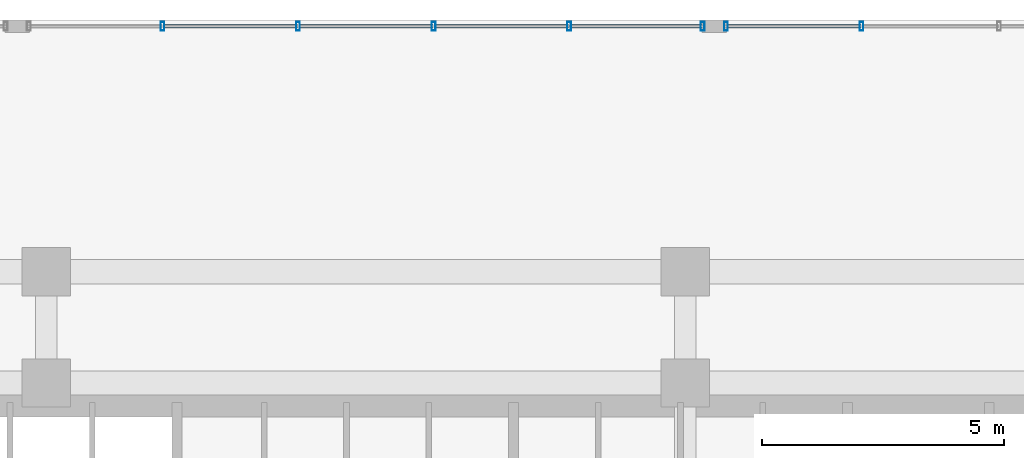
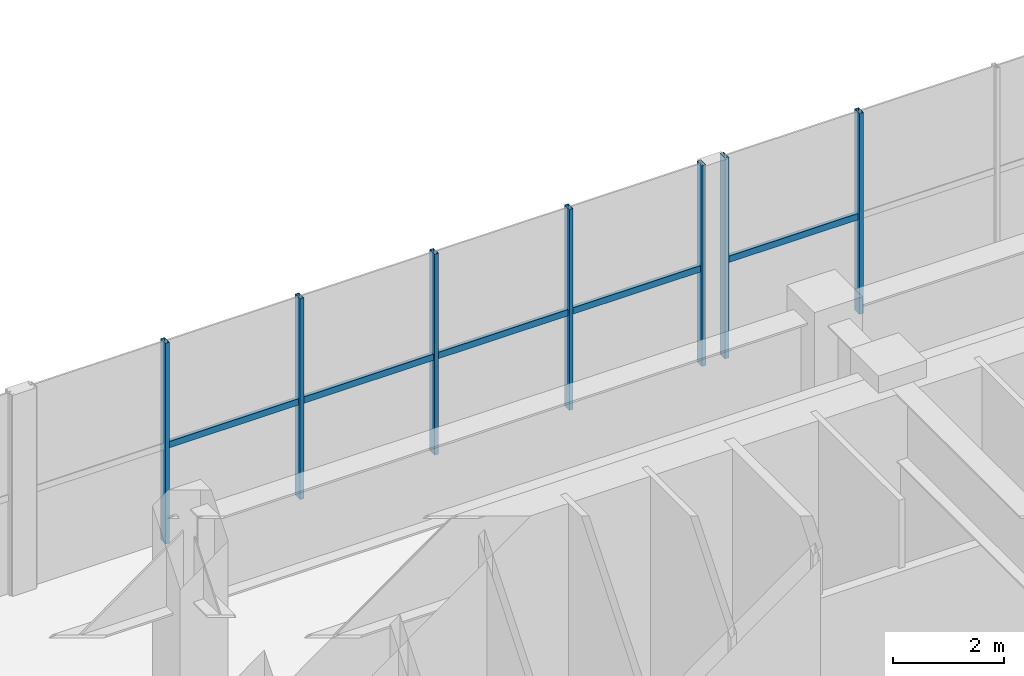
# One storey, part 6 of 17: 12 members, 2 elements without a shape of their own.
"""IFC4 building model written with IfcOpenShell, lengths in metres."""

from ifc_helpers import new_model, si_unit, direction, frame, origin, origin_2d, place, context, subcontext, project, spatial, hollow_rectangle, extrude, source, transform, mapped, material, material_profile, profile_set, type_object, element, aggregate, save


model = new_model("IFC4")

# Units and contexts
model_context = context("Model", 3, precision=1e-05, world=origin(), true_north=direction((0.0, 1.0)))
body_context = subcontext(model_context, "Body", "Model", "MODEL_VIEW")
ifc_project = project(units=[si_unit("LENGTHUNIT", "METRE"), si_unit("AREAUNIT", "SQUARE_METRE"), si_unit("VOLUMEUNIT", "CUBIC_METRE"), si_unit("PLANEANGLEUNIT", "RADIAN"), si_unit("MASSUNIT", "GRAM", prefix="KILO")], contexts=[model_context])

# Site, building, storey
site_placement = place(None, origin())
site = spatial("IfcSite", under=ifc_project, at=site_placement, CompositionType="ELEMENT")
building_placement = place(site_placement, origin())
building = spatial("IfcBuilding", under=site, at=building_placement, Name="Trelvane Seafront Commons", CompositionType="ELEMENT")
storey_placement = place(building_placement, frame((0.0, 0.0, 18.699951171875)))
storey = spatial("IfcBuildingStorey", under=building, at=storey_placement, Name="L04", CompositionType="ELEMENT", Elevation=18.699951171875)

# Curtain wall, member
ifc_material = material(Name="Anodised pale-silver aluminium", Category="aluminium")
curtain_wall_type = type_object("IfcCurtainWallType", Name="ARCH-CW1-PODIUM", PredefinedType="NOTDEFINED", material=ifc_material)
curtain_wall_1_placement = place(storey_placement, origin())
curtain_wall_1 = element("IfcCurtainWall", 1, at=curtain_wall_1_placement, inside=storey, type_object=curtain_wall_type, Name="CW-L04-0027", PredefinedType="NOTDEFINED")
ifc_material_profile_1 = material_profile(ifc_material, hollow_rectangle(XDim=0.074951171875, YDim=0.139892578125, WallThickness=0.00390625, at=origin_2d()), Name="TRAN-75x140x4")
ifc_profile_set_1 = profile_set([ifc_material_profile_1], Name="Anodised pale-silver aluminium")
member_type_1 = type_object("IfcMemberType", Name="ARCH-CW-TRAN-140", PredefinedType="USERDEFINED", material=ifc_profile_set_1)
shared_shape_1 = source(origin(), body_context, "Body", "SweptSolid", [
    extrude(hollow_rectangle(XDim=0.074951171875, YDim=0.139892578125, WallThickness=0.00390625, at=origin_2d()), origin(), (0.0, 0.0, 1.0), 2.81591796875),
])
member_1_placement = place(storey_placement, frame((44.612060546875, 52.469970703125, 2.1220703125), z_axis=(1.0, 0.0, 0.0), x_axis=(0.0, 1.0, 0.0)))
member_1 = element("IfcMember", 2, at=member_1_placement, type_object=member_type_1, Name="CW-L04-0027-T00", ObjectType="TRANSOM", PredefinedType="USERDEFINED", context=body_context, shape_type="MappedRepresentation", body=[
    mapped(shared_shape_1, transform((0.0, 0.0, 0.0), x_axis=(1.0, 0.0, 0.0), y_axis=(0.0, 1.0, 0.0), z_axis=(0.0, 0.0, 1.0), scale=1.0)),
])

# Curtain wall, members
curtain_wall_2_placement = place(storey_placement, origin())
curtain_wall_2 = element("IfcCurtainWall", 3, at=curtain_wall_2_placement, inside=storey, type_object=curtain_wall_type, Name="CW-L04-0026", PredefinedType="NOTDEFINED")
shared_shape_2 = source(origin(), body_context, "Body", "SweptSolid", [
    extrude(hollow_rectangle(XDim=0.074951171875, YDim=0.139892578125, WallThickness=0.00390625, at=origin_2d()), origin(), (0.0, 0.0, 1.0), 2.776123046875),
])
member_2_placement = place(storey_placement, frame((33.011962890625, 52.469970703125, 2.1220703125), z_axis=(1.0, 0.0, 0.0), x_axis=(0.0, 1.0, 0.0)))
member_2 = element("IfcMember", 4, at=member_2_placement, type_object=member_type_1, Name="CW-L04-0026-T01", ObjectType="TRANSOM", PredefinedType="USERDEFINED", context=body_context, shape_type="MappedRepresentation", body=[
    mapped(shared_shape_2, transform((0.0, 0.0, 0.0), x_axis=(1.0, 0.0, 0.0), y_axis=(0.0, 1.0, 0.0), z_axis=(0.0, 0.0, 1.0), scale=1.0)),
])
shared_shape_3 = source(origin(), body_context, "Body", "SweptSolid", [
    extrude(hollow_rectangle(XDim=0.074951171875, YDim=0.139892578125, WallThickness=0.00390625, at=origin_2d()), origin(), (0.0, 0.0, 1.0), 2.77587890625),
])
member_3_placement = place(storey_placement, frame((35.81201171875, 52.469970703125, 2.1220703125), z_axis=(1.0, 0.0, 0.0), x_axis=(0.0, 1.0, 0.0)))
member_3 = element("IfcMember", 5, at=member_3_placement, type_object=member_type_1, Name="CW-L04-0026-T02", ObjectType="TRANSOM", PredefinedType="USERDEFINED", context=body_context, shape_type="MappedRepresentation", body=[
    mapped(shared_shape_3, transform((0.0, 0.0, 0.0), x_axis=(1.0, 0.0, 0.0), y_axis=(0.0, 1.0, 0.0), z_axis=(0.0, 0.0, 1.0), scale=1.0)),
])
member_4_placement = place(storey_placement, frame((38.612060546875, 52.469970703125, 2.1220703125), z_axis=(1.0, 0.0, 0.0), x_axis=(0.0, 1.0, 0.0)))
member_4 = element("IfcMember", 6, at=member_4_placement, type_object=member_type_1, Name="CW-L04-0026-T03", ObjectType="TRANSOM", PredefinedType="USERDEFINED", context=body_context, shape_type="MappedRepresentation", body=[
    mapped(shared_shape_3, transform((0.0, 0.0, 0.0), x_axis=(1.0, 0.0, 0.0), y_axis=(0.0, 1.0, 0.0), z_axis=(0.0, 0.0, 1.0), scale=1.0)),
])
member_5_placement = place(storey_placement, frame((41.412109375, 52.469970703125, 2.1220703125), z_axis=(1.0, 0.0, 0.0), x_axis=(0.0, 1.0, 0.0)))
member_5 = element("IfcMember", 7, at=member_5_placement, type_object=member_type_1, Name="CW-L04-0026-T04", ObjectType="TRANSOM", PredefinedType="USERDEFINED", context=body_context, shape_type="MappedRepresentation", body=[
    mapped(shared_shape_3, transform((0.0, 0.0, 0.0), x_axis=(1.0, 0.0, 0.0), y_axis=(0.0, 1.0, 0.0), z_axis=(0.0, 0.0, 1.0), scale=1.0)),
])
ifc_material_profile_2 = material_profile(ifc_material, hollow_rectangle(XDim=0.080078125, YDim=0.179931640625, WallThickness=0.00439453125, at=origin_2d()), Name="MULL-80x180x4.5")
ifc_profile_set_2 = profile_set([ifc_material_profile_2], Name="Anodised pale-silver aluminium")
member_type_2 = type_object("IfcMemberType", Name="ARCH-CW-MULL-180", PredefinedType="MULLION", material=ifc_profile_set_2)
shared_shape_4 = source(origin(), body_context, "Body", "SweptSolid", [
    extrude(hollow_rectangle(XDim=0.080078125, YDim=0.179931640625, WallThickness=0.00439453125, at=origin_2d()), origin(), (0.0, 0.0, 1.0), 4.420166015625),
])
member_6_placement = place(storey_placement, frame((33.0, 52.469970703125, 0.0), z_axis=(0.0, 0.0, 1.0), x_axis=(1.0, 0.0, 0.0)))
member_6 = element("IfcMember", 8, at=member_6_placement, type_object=member_type_2, Name="CW-L04-0026-M01", PredefinedType="MULLION", context=body_context, shape_type="MappedRepresentation", body=[
    mapped(shared_shape_4, transform((0.0, 0.0, 0.0), x_axis=(1.0, 0.0, 0.0), y_axis=(0.0, 1.0, 0.0), z_axis=(0.0, 0.0, 1.0), scale=1.0)),
])
member_7_placement = place(storey_placement, frame((35.800048828125, 52.469970703125, 0.0), z_axis=(0.0, 0.0, 1.0), x_axis=(1.0, 0.0, 0.0)))
member_7 = element("IfcMember", 9, at=member_7_placement, type_object=member_type_2, Name="CW-L04-0026-M02", PredefinedType="MULLION", context=body_context, shape_type="MappedRepresentation", body=[
    mapped(shared_shape_4, transform((0.0, 0.0, 0.0), x_axis=(1.0, 0.0, 0.0), y_axis=(0.0, 1.0, 0.0), z_axis=(0.0, 0.0, 1.0), scale=1.0)),
])
member_8_placement = place(storey_placement, frame((38.60009765625, 52.469970703125, 0.0), z_axis=(0.0, 0.0, 1.0), x_axis=(1.0, 0.0, 0.0)))
member_8 = element("IfcMember", 10, at=member_8_placement, type_object=member_type_2, Name="CW-L04-0026-M03", PredefinedType="MULLION", context=body_context, shape_type="MappedRepresentation", body=[
    mapped(shared_shape_4, transform((0.0, 0.0, 0.0), x_axis=(1.0, 0.0, 0.0), y_axis=(0.0, 1.0, 0.0), z_axis=(0.0, 0.0, 1.0), scale=1.0)),
])
member_9_placement = place(storey_placement, frame((41.39990234375, 52.469970703125, 0.0), z_axis=(0.0, 0.0, 1.0), x_axis=(1.0, 0.0, 0.0)))
member_9 = element("IfcMember", 11, at=member_9_placement, type_object=member_type_2, Name="CW-L04-0026-M04", PredefinedType="MULLION", context=body_context, shape_type="MappedRepresentation", body=[
    mapped(shared_shape_4, transform((0.0, 0.0, 0.0), x_axis=(1.0, 0.0, 0.0), y_axis=(0.0, 1.0, 0.0), z_axis=(0.0, 0.0, 1.0), scale=1.0)),
])
member_10_placement = place(storey_placement, frame((44.159912109375, 52.469970703125, 0.0), z_axis=(0.0, 0.0, 1.0), x_axis=(1.0, 0.0, 0.0)))
member_10 = element("IfcMember", 12, at=member_10_placement, type_object=member_type_2, Name="CW-L04-0026-M05", PredefinedType="MULLION", context=body_context, shape_type="MappedRepresentation", body=[
    mapped(shared_shape_4, transform((0.0, 0.0, 0.0), x_axis=(1.0, 0.0, 0.0), y_axis=(0.0, 1.0, 0.0), z_axis=(0.0, 0.0, 1.0), scale=1.0)),
])
aggregate(curtain_wall_2, [member_6, member_7, member_8, member_9, member_10, member_2, member_3, member_4, member_5])

# Member
member_11_placement = place(storey_placement, frame((44.639892578125, 52.469970703125, 0.0), z_axis=(0.0, 0.0, 1.0), x_axis=(1.0, 0.0, 0.0)))
member_11 = element("IfcMember", 13, at=member_11_placement, type_object=member_type_2, Name="CW-L04-0027-M00", PredefinedType="MULLION", context=body_context, shape_type="MappedRepresentation", body=[
    mapped(shared_shape_4, transform((0.0, 0.0, 0.0), x_axis=(1.0, 0.0, 0.0), y_axis=(0.0, 1.0, 0.0), z_axis=(0.0, 0.0, 1.0), scale=1.0)),
])

member_12_placement = place(storey_placement, frame((47.43994140625, 52.469970703125, 0.0), z_axis=(0.0, 0.0, 1.0), x_axis=(1.0, 0.0, 0.0)))
member_12 = element("IfcMember", 14, at=member_12_placement, type_object=member_type_2, Name="CW-L04-0027-M01", PredefinedType="MULLION", context=body_context, shape_type="MappedRepresentation", body=[
    mapped(shared_shape_4, transform((0.0, 0.0, 0.0), x_axis=(1.0, 0.0, 0.0), y_axis=(0.0, 1.0, 0.0), z_axis=(0.0, 0.0, 1.0), scale=1.0)),
])

aggregate(curtain_wall_1, [member_11, member_12, member_1])

save(model, "model.ifc")
